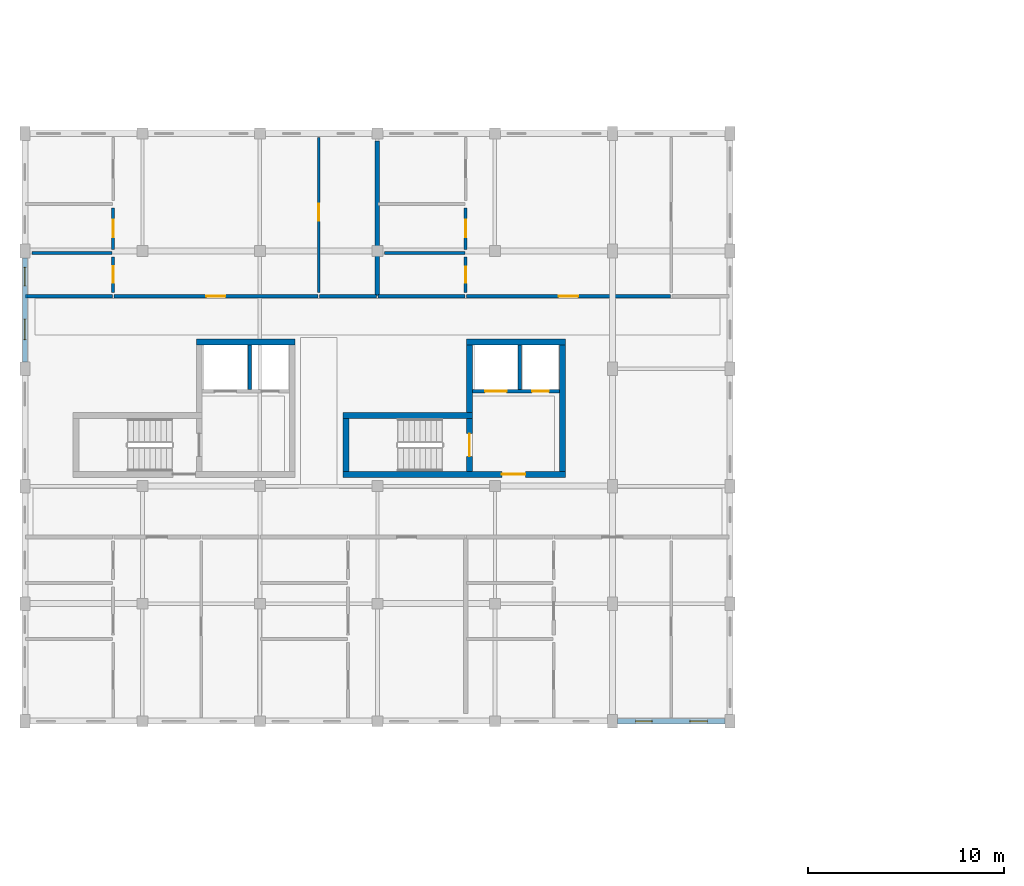
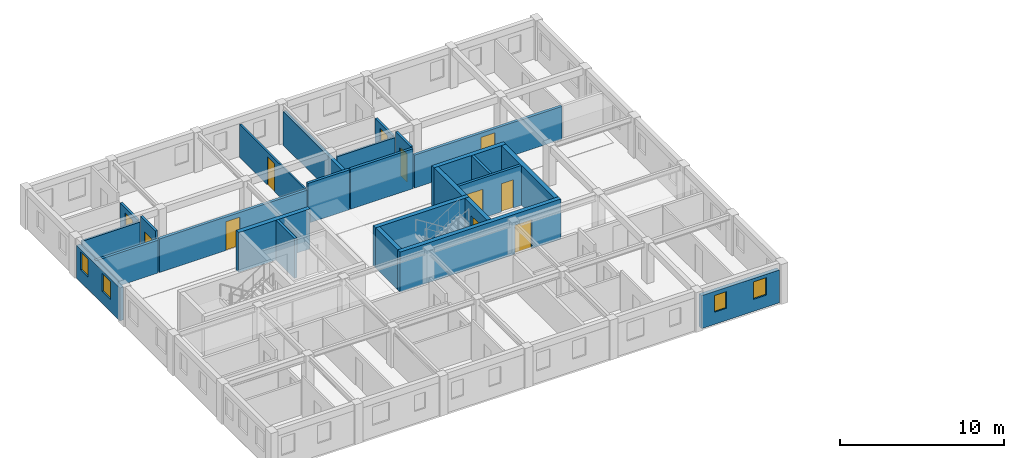
# One storey, part 8 of 28: 26 walls, 11 doors, 4 windows, 15 openings.
"""IFC4 building model written with IfcOpenShell, lengths in metres."""

from ifc_helpers import new_model, si_unit, direction, frame, frame_2d, origin, place, context, subcontext, project, spatial, rectangle, extrude, material, layer, layer_set, type_object, element, fill, save


model = new_model("IFC4")

# Units and contexts
model_context = context("Model", 3, precision=1e-05, world=origin(), true_north=direction((0.0, 1.0)))
body_context = subcontext(model_context, "Body", "Model", "MODEL_VIEW")
ifc_project = project(units=[si_unit("LENGTHUNIT", "METRE"), si_unit("AREAUNIT", "SQUARE_METRE"), si_unit("VOLUMEUNIT", "CUBIC_METRE"), si_unit("PLANEANGLEUNIT", "RADIAN"), si_unit("MASSUNIT", "GRAM", prefix="KILO"), si_unit("POWERUNIT", "WATT"), si_unit("THERMODYNAMICTEMPERATUREUNIT", "KELVIN")], contexts=[model_context])

# Site, building, storey
site_placement = place(None, origin())
site = spatial("IfcSite", under=ifc_project, at=site_placement, CompositionType="ELEMENT")
building_placement = place(site_placement, origin())
building = spatial("IfcBuilding", under=site, at=building_placement, Name="Ruvembo Vaulted Housing Court", CompositionType="ELEMENT")
storey_placement = place(building_placement, frame((0.0, 0.0, 23.699951171875)))
storey = spatial("IfcBuildingStorey", under=building, at=storey_placement, Name="L07", CompositionType="ELEMENT", Elevation=23.699951171875)

# Wall
ifc_material_1 = material(Name="Concrete C35/45", Category="concrete")
ifc_layer_1 = layer(ifc_material_1, 0.300048828125, Name="Concrete C35/45")
ifc_layer_set_1 = layer_set([ifc_layer_1], Name="Concrete C35/45")
wall_type_1 = type_object("IfcWallType", Name="WL-CORE-300", PredefinedType="SHEAR", material=ifc_layer_set_1)
wall_1_placement = place(storey_placement, frame((13.800048828125, 25.35009765625, 0.0), z_axis=(0.0, 0.0, 1.0), x_axis=(-1.0, 0.0, 0.0)))
element("IfcWall", 1, at=wall_1_placement, inside=storey, type_object=wall_type_1, Name="Core A1 L07 North Shear Wall", PredefinedType="SHEAR", context=body_context, shape_type="SweptSolid", body=[
    extrude(rectangle(XDim=5.050048828125, YDim=0.300048828125, at=frame_2d((2.52490234375, 0.0))), origin(), (0.0, 0.0, 1.0), 2.97509765625),
])

# Wall, opening, door
wall_2_placement = place(storey_placement, frame((16.25, 18.60009765625, 0.0), z_axis=(0.0, 0.0, 1.0), x_axis=(1.0, 0.0, 0.0)))
wall_2 = element("IfcWall", 2, at=wall_2_placement, inside=storey, type_object=wall_type_1, Name="Core A2 L07 South Shear Wall", PredefinedType="SHEAR", context=body_context, shape_type="SweptSolid", body=[
    extrude(rectangle(XDim=11.35009765625, YDim=0.300048828125, at=frame_2d((5.675048828125, 0.0))), origin(), (0.0, 0.0, 1.0), 2.97509765625),
])
opening_1_placement = place(wall_2_placement, frame((8.10009765625, 0.0, 0.0)))
opening_1 = element("IfcOpeningElement", 3, at=opening_1_placement, cuts=wall_2, Name="Opening LD3", PredefinedType="OPENING", context=body_context, shape_type="SweptSolid", body=[
    extrude(rectangle(XDim=1.199951171875, YDim=2.14990234375, at=frame_2d((0.60009765625, 1.074951171875))), frame((0.0, 0.159912109375, 0.0), z_axis=(0.0, -1.0, 0.0), x_axis=(1.0, 0.0, 0.0)), (0.0, 0.0, 1.0), 0.320068359375),
])
ifc_material_2 = material(Name="Galvanised Painted Steel", Category="steel")
door_type_1 = type_object("IfcDoorType", Name="DR-LOB-1200x2150", OperationType="NOTDEFINED", PredefinedType="DOOR", material=ifc_material_2)
door_1_placement = place(opening_1_placement, origin())
door_1 = element("IfcDoor", 4, at=door_1_placement, inside=storey, type_object=door_type_1, Name="Core A2 L07 Lobby Fire Door", OperationType="SINGLE_SWING_LEFT", OverallHeight=2.14990234375, OverallWidth=1.199951171875, PredefinedType="DOOR", context=body_context, shape_type="SweptSolid", body=[
    extrude(rectangle(XDim=1.199951171875, YDim=2.14990234375, at=frame_2d((0.60009765625, 1.074951171875))), frame((0.0, 0.02490234375, 0.0), z_axis=(0.0, -1.0, 0.0), x_axis=(1.0, 0.0, 0.0)), (0.0, 0.0, 1.0), 0.050048828125),
])
fill(opening_1, door_1)

# Walls
wall_3_placement = place(storey_placement, frame((22.85009765625, 21.60009765625, 0.0), z_axis=(0.0, 0.0, 1.0), x_axis=(-1.0, 0.0, 0.0)))
element("IfcWall", 5, at=wall_3_placement, inside=storey, type_object=wall_type_1, Name="Core A2 L07 Stair North Shear Wall", PredefinedType="SHEAR", context=body_context, shape_type="SweptSolid", body=[
    extrude(rectangle(XDim=6.60009765625, YDim=0.300048828125, at=frame_2d((3.300048828125, 0.0))), origin(), (0.0, 0.0, 1.0), 2.97509765625),
])
wall_4_placement = place(storey_placement, frame((16.39990234375, 21.449951171875, 0.0), z_axis=(0.0, 0.0, 1.0), x_axis=(0.0, -1.0, 0.0)))
element("IfcWall", 6, at=wall_4_placement, inside=storey, type_object=wall_type_1, Name="Core A2 L07 Stair West Shear Wall", PredefinedType="SHEAR", context=body_context, shape_type="SweptSolid", body=[
    extrude(rectangle(XDim=2.699951171875, YDim=0.300048828125, at=frame_2d((1.35009765625, 0.0))), origin(), (0.0, 0.0, 1.0), 2.97509765625),
])

# Wall, opening, door
wall_5_placement = place(storey_placement, frame((22.699951171875, 18.75, 0.0), z_axis=(0.0, 0.0, 1.0), x_axis=(0.0, 1.0, 0.0)))
wall_5 = element("IfcWall", 7, at=wall_5_placement, inside=storey, type_object=wall_type_1, Name="Core A2 L07 Stair-Lobby Shear Wall", PredefinedType="SHEAR", context=body_context, shape_type="SweptSolid", body=[
    extrude(rectangle(XDim=2.699951171875, YDim=0.300048828125, at=frame_2d((1.35009765625, 0.0))), origin(), (0.0, 0.0, 1.0), 2.97509765625),
])
opening_2_placement = place(wall_5_placement, frame((0.77490234375, 0.0, 0.0)))
opening_2 = element("IfcOpeningElement", 8, at=opening_2_placement, cuts=wall_5, Name="Opening SD1", PredefinedType="OPENING", context=body_context, shape_type="SweptSolid", body=[
    extrude(rectangle(XDim=1.14990234375, YDim=2.14990234375, at=frame_2d((0.574951171875, 1.074951171875))), frame((0.0, 0.159912109375, 0.0), z_axis=(0.0, -1.0, 0.0), x_axis=(1.0, 0.0, 0.0)), (0.0, 0.0, 1.0), 0.320068359375),
])
door_type_2 = type_object("IfcDoorType", Name="DR-STAIR-1150x2150", OperationType="NOTDEFINED", PredefinedType="DOOR", material=ifc_material_2)
door_2_placement = place(opening_2_placement, origin())
door_2 = element("IfcDoor", 9, at=door_2_placement, inside=storey, type_object=door_type_2, Name="Stair ST-A2 L07 Fire Door", OperationType="SINGLE_SWING_RIGHT", OverallHeight=2.14990234375, OverallWidth=1.14990234375, PredefinedType="DOOR", context=body_context, shape_type="SweptSolid", body=[
    extrude(rectangle(XDim=1.14990234375, YDim=2.14990234375, at=frame_2d((0.574951171875, 1.074951171875))), frame((0.0, 0.02490234375, 0.0), z_axis=(0.0, -1.0, 0.0), x_axis=(1.0, 0.0, 0.0)), (0.0, 0.0, 1.0), 0.050048828125),
])
fill(opening_2, door_2)

# Walls
wall_6_placement = place(storey_placement, frame((27.60009765625, 25.35009765625, 0.0), z_axis=(0.0, 0.0, 1.0), x_axis=(-1.0, 0.0, 0.0)))
element("IfcWall", 10, at=wall_6_placement, inside=storey, type_object=wall_type_1, Name="Core A2 L07 North Shear Wall", PredefinedType="SHEAR", context=body_context, shape_type="SweptSolid", body=[
    extrude(rectangle(XDim=5.050048828125, YDim=0.300048828125, at=frame_2d((2.52490234375, 0.0))), origin(), (0.0, 0.0, 1.0), 2.97509765625),
])
wall_7_placement = place(storey_placement, frame((27.449951171875, 18.75, 0.0), z_axis=(0.0, 0.0, 1.0), x_axis=(0.0, 1.0, 0.0)))
element("IfcWall", 11, at=wall_7_placement, inside=storey, type_object=wall_type_1, Name="Core A2 L07 East Shear Wall", PredefinedType="SHEAR", context=body_context, shape_type="SweptSolid", body=[
    extrude(rectangle(XDim=6.449951171875, YDim=0.300048828125, at=frame_2d((3.22509765625, 0.0))), origin(), (0.0, 0.0, 1.0), 2.97509765625),
])
wall_8_placement = place(storey_placement, frame((22.699951171875, 21.75, 0.0), z_axis=(0.0, 0.0, 1.0), x_axis=(0.0, 1.0, 0.0)))
element("IfcWall", 12, at=wall_8_placement, inside=storey, type_object=wall_type_1, Name="Core A2 L07 Upper West Shear Wall", PredefinedType="SHEAR", context=body_context, shape_type="SweptSolid", body=[
    extrude(rectangle(XDim=3.449951171875, YDim=0.300048828125, at=frame_2d((1.72509765625, 0.0))), origin(), (0.0, 0.0, 1.0), 2.97509765625),
])
ifc_material_3 = material(Name="Concrete Blockwork 190", Category="masonry")
ifc_layer_2 = layer(ifc_material_3, 0.18994140625, Name="Concrete Blockwork 190")
ifc_layer_set_2 = layer_set([ifc_layer_2], Name="Concrete Blockwork 190")
wall_type_2 = type_object("IfcWallType", Name="WL-CORR-190", PredefinedType="SOLIDWALL", material=ifc_layer_set_2)
wall_9_placement = place(storey_placement, frame((0.0400390625, 27.699951171875, 0.0), z_axis=(0.0, 0.0, 1.0), x_axis=(1.0, 0.0, 0.0)))
element("IfcWall", 13, at=wall_9_placement, inside=storey, type_object=wall_type_2, Name="L07 Flat A-L07-N1 Corridor Wall WL-INT-L07-01890", PredefinedType="SOLIDWALL", context=body_context, shape_type="SweptSolid", body=[
    extrude(rectangle(XDim=4.419921875, YDim=0.18994140625, at=frame_2d((2.2099609375, 0.0))), origin(), (0.0, 0.0, 1.0), 2.45703125),
])

# Wall, opening, door
wall_10_placement = place(storey_placement, frame((4.5400390625, 27.699951171875, 0.0), z_axis=(0.0, 0.0, 1.0), x_axis=(1.0, 0.0, 0.0)))
wall_10 = element("IfcWall", 14, at=wall_10_placement, inside=storey, type_object=wall_type_2, Name="L07 Flat A-L07-N1 Entrance WL-INT-L07-01891", PredefinedType="SOLIDWALL", context=body_context, shape_type="SweptSolid", body=[
    extrude(rectangle(XDim=10.419921875, YDim=0.18994140625, at=frame_2d((5.2099609375, 0.0))), origin(), (0.0, 0.0, 1.0), 2.508056640625),
])
opening_3_placement = place(wall_10_placement, frame((4.719970703125, 0.0, 0.0)))
opening_3 = element("IfcOpeningElement", 15, at=opening_3_placement, cuts=wall_10, Name="Opening FD2", PredefinedType="OPENING", context=body_context, shape_type="SweptSolid", body=[
    extrude(rectangle(XDim=0.97998046875, YDim=2.14990234375, at=frame_2d((0.489990234375, 1.074951171875))), frame((0.0, 0.10498046875, 0.0), z_axis=(0.0, -1.0, 0.0), x_axis=(1.0, 0.0, 0.0)), (0.0, 0.0, 1.0), 0.2099609375),
])
ifc_material_4 = material(Name="FSC Hardwood and Engineered Timber", Category="wood")
door_type_3 = type_object("IfcDoorType", Name="DR-FLAT-0980x2150", OperationType="NOTDEFINED", PredefinedType="DOOR", material=ifc_material_4)
door_3_placement = place(opening_3_placement, origin())
door_3 = element("IfcDoor", 16, at=door_3_placement, inside=storey, type_object=door_type_3, Name="L07 Flat A-L07-N1 Entrance Door DR-INT-L07-01063", OperationType="SINGLE_SWING_LEFT", OverallHeight=2.14990234375, OverallWidth=0.97998046875, PredefinedType="DOOR", context=body_context, shape_type="SweptSolid", body=[
    extrude(rectangle(XDim=0.97998046875, YDim=2.14990234375, at=frame_2d((0.489990234375, 1.074951171875))), frame((0.0, 0.02490234375, 0.0), z_axis=(0.0, -1.0, 0.0), x_axis=(1.0, 0.0, 0.0)), (0.0, 0.0, 1.0), 0.050048828125),
])
fill(opening_3, door_3)

# Walls
wall_11_placement = place(storey_placement, frame((15.0400390625, 27.699951171875, 0.0), z_axis=(0.0, 0.0, 1.0), x_axis=(1.0, 0.0, 0.0)))
element("IfcWall", 17, at=wall_11_placement, inside=storey, type_object=wall_type_2, Name="L07 Flat A-L07-N1 Corridor Wall 2 WL-INT-L07-01897", PredefinedType="SOLIDWALL", context=body_context, shape_type="SweptSolid", body=[
    extrude(rectangle(XDim=2.919921875, YDim=0.18994140625, at=frame_2d((1.4599609375, 0.0))), origin(), (0.0, 0.0, 1.0), 2.97509765625),
])
wall_12_placement = place(storey_placement, frame((18.0400390625, 27.699951171875, 0.0), z_axis=(0.0, 0.0, 1.0), x_axis=(1.0, 0.0, 0.0)))
element("IfcWall", 18, at=wall_12_placement, inside=storey, type_object=wall_type_2, Name="L07 Flat A-L07-N2 Corridor Wall WL-INT-L07-01899", PredefinedType="SOLIDWALL", context=body_context, shape_type="SweptSolid", body=[
    extrude(rectangle(XDim=4.419921875, YDim=0.18994140625, at=frame_2d((2.2099609375, 0.0))), origin(), (0.0, 0.0, 1.0), 2.97509765625),
])

# Wall, opening, door
wall_13_placement = place(storey_placement, frame((22.5400390625, 27.699951171875, 0.0), z_axis=(0.0, 0.0, 1.0), x_axis=(1.0, 0.0, 0.0)))
wall_13 = element("IfcWall", 19, at=wall_13_placement, inside=storey, type_object=wall_type_2, Name="L07 Flat A-L07-N2 Entrance WL-INT-L07-01900", PredefinedType="SOLIDWALL", context=body_context, shape_type="SweptSolid", body=[
    extrude(rectangle(XDim=10.419921875, YDim=0.18994140625, at=frame_2d((5.2099609375, 0.0))), origin(), (0.0, 0.0, 1.0), 2.45703125),
])
opening_4_placement = place(wall_13_placement, frame((4.7099609375, 0.0, 0.0)))
opening_4 = element("IfcOpeningElement", 20, at=opening_4_placement, cuts=wall_13, Name="Opening FD1", PredefinedType="OPENING", context=body_context, shape_type="SweptSolid", body=[
    extrude(rectangle(XDim=1.0, YDim=2.14990234375, at=frame_2d((0.5, 1.074951171875))), frame((0.0, 0.10498046875, 0.0), z_axis=(0.0, -1.0, 0.0), x_axis=(1.0, 0.0, 0.0)), (0.0, 0.0, 1.0), 0.2099609375),
])
door_type_4 = type_object("IfcDoorType", Name="DR-FLAT-1000x2150", OperationType="NOTDEFINED", PredefinedType="DOOR", material=ifc_material_4)
door_4_placement = place(opening_4_placement, origin())
door_4 = element("IfcDoor", 21, at=door_4_placement, inside=storey, type_object=door_type_4, Name="L07 Flat A-L07-N2 Entrance Door DR-INT-L07-01068", OperationType="SINGLE_SWING_RIGHT", OverallHeight=2.14990234375, OverallWidth=1.0, PredefinedType="DOOR", context=body_context, shape_type="SweptSolid", body=[
    extrude(rectangle(XDim=1.0, YDim=2.14990234375, at=frame_2d((0.5, 1.074951171875))), frame((0.0, 0.02490234375, 0.0), z_axis=(0.0, -1.0, 0.0), x_axis=(1.0, 0.0, 0.0)), (0.0, 0.0, 1.0), 0.050048828125),
])
fill(opening_4, door_4)

# Wall
ifc_material_5 = material(Name="Acoustic Masonry Demising 230", Category="masonry")
ifc_layer_3 = layer(ifc_material_5, 0.22998046875, Name="Acoustic Masonry Demising 230")
ifc_layer_set_3 = layer_set([ifc_layer_3], Name="Acoustic Masonry Demising 230")
wall_type_3 = type_object("IfcWallType", Name="WL-DEM-230", PredefinedType="SOLIDWALL", material=ifc_layer_set_3)
wall_14_placement = place(storey_placement, frame((18.0, 27.739990234375, 0.0), z_axis=(0.0, 0.0, 1.0), x_axis=(0.0, 1.0, 0.0)))
element("IfcWall", 22, at=wall_14_placement, inside=storey, type_object=wall_type_3, Name="L07 Demising A-L07-N1 WL-INT-L07-01889", PredefinedType="SOLIDWALL", context=body_context, shape_type="SweptSolid", body=[
    extrude(rectangle(XDim=7.8701171875, YDim=0.22998046875, at=frame_2d((3.93505859375, 0.0))), origin(), (0.0, 0.0, 1.0), 2.508056640625),
])

# Wall, openings, windows
ifc_material_6 = material(Name="Rendered Masonry 270", Category="masonry")
ifc_layer_4 = layer(ifc_material_6, 0.27001953125, Name="Rendered Masonry 270")
ifc_layer_set_4 = layer_set([ifc_layer_4], Name="Rendered Masonry 270")
wall_type_4 = type_object("IfcWallType", Name="WL-EXT-270", PredefinedType="STANDARD", material=ifc_layer_set_4)
wall_15_placement = place(storey_placement, frame((30.25, 6.0, 0.0), z_axis=(0.0, 0.0, 1.0), x_axis=(1.0, 0.0, 0.0)))
wall_15 = element("IfcWall", 23, at=wall_15_placement, inside=storey, type_object=wall_type_4, Name="Block A L07 Exterior Wall STREET #6", PredefinedType="STANDARD", context=body_context, shape_type="SweptSolid", body=[
    extrude(rectangle(XDim=5.5, YDim=0.27001953125, at=frame_2d((2.75, 0.0))), origin(), (0.0, 0.0, 1.0), 2.45703125),
])
opening_5_placement = place(wall_15_placement, frame((0.929931640625, 0.0, 0.89990234375)))
opening_5 = element("IfcOpeningElement", 24, at=opening_5_placement, cuts=wall_15, Name="Opening W03", PredefinedType="OPENING", context=body_context, shape_type="SweptSolid", body=[
    extrude(rectangle(XDim=0.85009765625, YDim=1.25, at=frame_2d((0.425048828125, 0.625))), frame((0.0, 0.14501953125, 0.0), z_axis=(0.0, -1.0, 0.0), x_axis=(1.0, 0.0, 0.0)), (0.0, 0.0, 1.0), 0.2900390625),
])
opening_6_placement = place(wall_15_placement, frame((3.695068359375, 0.0, 0.89990234375)))
opening_6 = element("IfcOpeningElement", 25, at=opening_6_placement, cuts=wall_15, Name="Opening W04", PredefinedType="OPENING", context=body_context, shape_type="SweptSolid", body=[
    extrude(rectangle(XDim=0.89990234375, YDim=1.300048828125, at=frame_2d((0.449951171875, 0.64990234375))), frame((0.0, 0.14501953125, 0.0), z_axis=(0.0, -1.0, 0.0), x_axis=(1.0, 0.0, 0.0)), (0.0, 0.0, 1.0), 0.2900390625),
])
ifc_material_7 = material(Name="Double Solar-Control Glazing in Aluminium Frame", Category="aluminium")
window_type_1 = type_object("IfcWindowType", Name="WIN-0850x1250", PartitioningType="SINGLE_PANEL", PredefinedType="WINDOW", material=ifc_material_7)
window_1_placement = place(opening_5_placement, origin())
window_1 = element("IfcWindow", 26, at=window_1_placement, inside=storey, type_object=window_type_1, Name="Block A L07 Window #307", OverallHeight=1.25, OverallWidth=0.85009765625, PartitioningType="SINGLE_PANEL", PredefinedType="WINDOW", context=body_context, shape_type="SweptSolid", body=[
    extrude(rectangle(XDim=0.85009765625, YDim=1.25, at=frame_2d((0.425048828125, 0.625))), frame((0.0, 0.030029296875, 0.0), z_axis=(0.0, -1.0, 0.0), x_axis=(1.0, 0.0, 0.0)), (0.0, 0.0, 1.0), 0.06005859375),
])
fill(opening_5, window_1)
window_type_2 = type_object("IfcWindowType", Name="WIN-0900x1300", PartitioningType="SINGLE_PANEL", PredefinedType="WINDOW", material=ifc_material_7)
window_2_placement = place(opening_6_placement, origin())
window_2 = element("IfcWindow", 27, at=window_2_placement, inside=storey, type_object=window_type_2, Name="Block A L07 Window #308", OverallHeight=1.300048828125, OverallWidth=0.89990234375, PartitioningType="SINGLE_PANEL", PredefinedType="WINDOW", context=body_context, shape_type="SweptSolid", body=[
    extrude(rectangle(XDim=0.89990234375, YDim=1.300048828125, at=frame_2d((0.449951171875, 0.64990234375))), frame((0.0, 0.030029296875, 0.0), z_axis=(0.0, -1.0, 0.0), x_axis=(1.0, 0.0, 0.0)), (0.0, 0.0, 1.0), 0.06005859375),
])
fill(opening_6, window_2)

wall_16_placement = place(storey_placement, frame((0.0, 29.64990234375, 0.0), z_axis=(0.0, 0.0, 1.0), x_axis=(0.0, -1.0, 0.0)))
wall_16 = element("IfcWall", 28, at=wall_16_placement, inside=storey, type_object=wall_type_4, Name="Block A L07 Exterior Wall WEST #2", PredefinedType="STANDARD", context=body_context, shape_type="SweptSolid", body=[
    extrude(rectangle(XDim=5.2998046875, YDim=0.27001953125, at=frame_2d((2.64990234375, 0.0))), origin(), (0.0, 0.0, 1.0), 2.45703125),
])
opening_7_placement = place(wall_16_placement, frame((0.47998046875, 0.0, 0.89990234375)))
opening_7 = element("IfcOpeningElement", 29, at=opening_7_placement, cuts=wall_16, Name="Opening W07", PredefinedType="OPENING", context=body_context, shape_type="SweptSolid", body=[
    extrude(rectangle(XDim=0.949951171875, YDim=1.35009765625, at=frame_2d((0.47509765625, 0.675048828125))), frame((0.0, 0.14501953125, 0.0), z_axis=(0.0, -1.0, 0.0), x_axis=(1.0, 0.0, 0.0)), (0.0, 0.0, 1.0), 0.2900390625),
])
opening_8_placement = place(wall_16_placement, frame((3.1201171875, 0.0, 0.89990234375)))
opening_8 = element("IfcOpeningElement", 30, at=opening_8_placement, cuts=wall_16, Name="Opening W09", PredefinedType="OPENING", context=body_context, shape_type="SweptSolid", body=[
    extrude(rectangle(XDim=1.050048828125, YDim=1.35009765625, at=frame_2d((0.52490234375, 0.675048828125))), frame((0.0, 0.14501953125, 0.0), z_axis=(0.0, -1.0, 0.0), x_axis=(1.0, 0.0, 0.0)), (0.0, 0.0, 1.0), 0.2900390625),
])
window_type_3 = type_object("IfcWindowType", Name="WIN-0950x1350", PartitioningType="SINGLE_PANEL", PredefinedType="WINDOW", material=ifc_material_7)
window_3_placement = place(opening_7_placement, origin())
window_3 = element("IfcWindow", 31, at=window_3_placement, inside=storey, type_object=window_type_3, Name="Block A L07 Window #333", OverallHeight=1.35009765625, OverallWidth=0.949951171875, PartitioningType="SINGLE_PANEL", PredefinedType="WINDOW", context=body_context, shape_type="SweptSolid", body=[
    extrude(rectangle(XDim=0.949951171875, YDim=1.35009765625, at=frame_2d((0.47509765625, 0.675048828125))), frame((0.0, 0.030029296875, 0.0), z_axis=(0.0, -1.0, 0.0), x_axis=(1.0, 0.0, 0.0)), (0.0, 0.0, 1.0), 0.06005859375),
])
fill(opening_7, window_3)
window_type_4 = type_object("IfcWindowType", Name="WIN-1050x1350", PartitioningType="SINGLE_PANEL", PredefinedType="WINDOW", material=ifc_material_7)
window_4_placement = place(opening_8_placement, origin())
window_4 = element("IfcWindow", 32, at=window_4_placement, inside=storey, type_object=window_type_4, Name="Block A L07 Window #334", OverallHeight=1.35009765625, OverallWidth=1.050048828125, PartitioningType="SINGLE_PANEL", PredefinedType="WINDOW", context=body_context, shape_type="SweptSolid", body=[
    extrude(rectangle(XDim=1.050048828125, YDim=1.35009765625, at=frame_2d((0.52490234375, 0.675048828125))), frame((0.0, 0.030029296875, 0.0), z_axis=(0.0, -1.0, 0.0), x_axis=(1.0, 0.0, 0.0)), (0.0, 0.0, 1.0), 0.06005859375),
])
fill(opening_8, window_4)

# Wall, opening, door
ifc_material_8 = material(Name="Plasterboard Stud Partition 125", Category="gypsum")
ifc_layer_5 = layer(ifc_material_8, 0.125, Name="Plasterboard Stud Partition 125")
ifc_layer_set_5 = layer_set([ifc_layer_5], Name="Plasterboard Stud Partition 125")
wall_type_5 = type_object("IfcWallType", Name="WL-PART-125", PredefinedType="PARTITIONING", material=ifc_layer_set_5)
wall_17_placement = place(storey_placement, frame((15.0, 27.889892578125, 0.0), z_axis=(0.0, 0.0, 1.0), x_axis=(0.0, 1.0, 0.0)))
wall_17 = element("IfcWall", 33, at=wall_17_placement, inside=storey, type_object=wall_type_5, Name="L07 Flat A-L07-N1 Bedroom 2 WL-INT-L07-01898", PredefinedType="PARTITIONING", context=body_context, shape_type="SweptSolid", body=[
    extrude(rectangle(XDim=7.920166015625, YDim=0.125, at=frame_2d((3.9599609375, 0.0))), origin(), (0.0, 0.0, 1.0), 2.45703125),
])
opening_9_placement = place(wall_17_placement, frame((3.64990234375, 0.0, 0.0)))
opening_9 = element("IfcOpeningElement", 34, at=opening_9_placement, cuts=wall_17, Name="Opening ID3", PredefinedType="OPENING", context=body_context, shape_type="SweptSolid", body=[
    extrude(rectangle(XDim=0.8798828125, YDim=2.10009765625, at=frame_2d((0.43994140625, 1.050048828125))), frame((0.0, 0.072509765625, 0.0), z_axis=(0.0, -1.0, 0.0), x_axis=(1.0, 0.0, 0.0)), (0.0, 0.0, 1.0), 0.14501953125),
])
door_type_5 = type_object("IfcDoorType", Name="DR-ROOM-0880x2100", OperationType="NOTDEFINED", PredefinedType="DOOR", material=ifc_material_4)
door_5_placement = place(opening_9_placement, origin())
door_5 = element("IfcDoor", 35, at=door_5_placement, inside=storey, type_object=door_type_5, Name="L07 Flat A-L07-N1 Bedroom 2 Door DR-INT-L07-01067", OperationType="SINGLE_SWING_LEFT", OverallHeight=2.10009765625, OverallWidth=0.8798828125, PredefinedType="DOOR", context=body_context, shape_type="SweptSolid", body=[
    extrude(rectangle(XDim=0.8798828125, YDim=2.10009765625, at=frame_2d((0.43994140625, 1.050048828125))), frame((0.0, 0.02490234375, 0.0), z_axis=(0.0, -1.0, 0.0), x_axis=(1.0, 0.0, 0.0)), (0.0, 0.0, 1.0), 0.050048828125),
])
fill(opening_9, door_5)

ifc_material_9 = material(Name="Moisture-Resistant Wet Partition 150", Category="gypsum")
ifc_layer_6 = layer(ifc_material_9, 0.14990234375, Name="Moisture-Resistant Wet Partition 150")
ifc_layer_set_6 = layer_set([ifc_layer_6], Name="Moisture-Resistant Wet Partition 150")
wall_type_6 = type_object("IfcWallType", Name="WL-PART-150", PredefinedType="PARTITIONING", material=ifc_layer_set_6)
wall_18_placement = place(storey_placement, frame((4.5, 27.889892578125, 0.0), z_axis=(0.0, 0.0, 1.0), x_axis=(0.0, 1.0, 0.0)))
wall_18 = element("IfcWall", 36, at=wall_18_placement, inside=storey, type_object=wall_type_6, Name="L07 Flat A-L07-N1 Bathroom WL-INT-L07-01894", PredefinedType="PARTITIONING", context=body_context, shape_type="SweptSolid", body=[
    extrude(rectangle(XDim=1.820068359375, YDim=0.14990234375, at=frame_2d((0.91015625, 0.0))), origin(), (0.0, 0.0, 1.0), 2.97509765625),
])
opening_10_placement = place(wall_18_placement, frame((0.485107421875, 0.0, 0.0)))
opening_10 = element("IfcOpeningElement", 37, at=opening_10_placement, cuts=wall_18, Name="Opening ID2", PredefinedType="OPENING", context=body_context, shape_type="SweptSolid", body=[
    extrude(rectangle(XDim=0.85009765625, YDim=2.10009765625, at=frame_2d((0.425048828125, 1.050048828125))), frame((0.0, 0.0849609375, 0.0), z_axis=(0.0, -1.0, 0.0), x_axis=(1.0, 0.0, 0.0)), (0.0, 0.0, 1.0), 0.169921875),
])
door_type_6 = type_object("IfcDoorType", Name="DR-WET-0850x2100", OperationType="NOTDEFINED", PredefinedType="DOOR", material=ifc_material_4)
door_6_placement = place(opening_10_placement, origin())
door_6 = element("IfcDoor", 38, at=door_6_placement, inside=storey, type_object=door_type_6, Name="L07 Flat A-L07-N1 Bathroom Door DR-INT-L07-01066", OperationType="SINGLE_SWING_RIGHT", OverallHeight=2.10009765625, OverallWidth=0.85009765625, PredefinedType="DOOR", context=body_context, shape_type="SweptSolid", body=[
    extrude(rectangle(XDim=0.85009765625, YDim=2.10009765625, at=frame_2d((0.425048828125, 1.050048828125))), frame((0.0, 0.02490234375, 0.0), z_axis=(0.0, -1.0, 0.0), x_axis=(1.0, 0.0, 0.0)), (0.0, 0.0, 1.0), 0.050048828125),
])
fill(opening_10, door_6)

# Wall
wall_19_placement = place(storey_placement, frame((0.360107421875, 29.89990234375, 0.0), z_axis=(0.0, 0.0, 1.0), x_axis=(1.0, 0.0, 0.0)))
element("IfcWall", 39, at=wall_19_placement, inside=storey, type_object=wall_type_6, Name="L07 Flat A-L07-N1 Wet Wall 2 WL-INT-L07-01896", PredefinedType="PARTITIONING", context=body_context, shape_type="SweptSolid", body=[
    extrude(rectangle(XDim=4.099853515625, YDim=0.14990234375, at=frame_2d((2.0498046875, 0.0))), origin(), (0.0, 0.0, 1.0), 2.45703125),
])

# Wall, opening, door
wall_20_placement = place(storey_placement, frame((22.5, 27.889892578125, 0.0), z_axis=(0.0, 0.0, 1.0), x_axis=(0.0, 1.0, 0.0)))
wall_20 = element("IfcWall", 40, at=wall_20_placement, inside=storey, type_object=wall_type_6, Name="L07 Flat A-L07-N2 Bathroom WL-INT-L07-01903", PredefinedType="PARTITIONING", context=body_context, shape_type="SweptSolid", body=[
    extrude(rectangle(XDim=1.820068359375, YDim=0.14990234375, at=frame_2d((0.91015625, 0.0))), origin(), (0.0, 0.0, 1.0), 2.97509765625),
])
opening_11_placement = place(wall_20_placement, frame((0.5, 0.0, 0.0)))
opening_11 = element("IfcOpeningElement", 41, at=opening_11_placement, cuts=wall_20, Name="Opening ID4", PredefinedType="OPENING", context=body_context, shape_type="SweptSolid", body=[
    extrude(rectangle(XDim=0.820068359375, YDim=2.080078125, at=frame_2d((0.41015625, 1.0400390625))), frame((0.0, 0.0849609375, 0.0), z_axis=(0.0, -1.0, 0.0), x_axis=(1.0, 0.0, 0.0)), (0.0, 0.0, 1.0), 0.169921875),
])
door_type_7 = type_object("IfcDoorType", Name="DR-WET-0820x2080", OperationType="NOTDEFINED", PredefinedType="DOOR", material=ifc_material_4)
door_7_placement = place(opening_11_placement, origin())
door_7 = element("IfcDoor", 42, at=door_7_placement, inside=storey, type_object=door_type_7, Name="L07 Flat A-L07-N2 Bathroom Door DR-INT-L07-01071", OperationType="SINGLE_SWING_LEFT", OverallHeight=2.080078125, OverallWidth=0.820068359375, PredefinedType="DOOR", context=body_context, shape_type="SweptSolid", body=[
    extrude(rectangle(XDim=0.820068359375, YDim=2.080078125, at=frame_2d((0.41015625, 1.0400390625))), frame((0.0, 0.02490234375, 0.0), z_axis=(0.0, -1.0, 0.0), x_axis=(1.0, 0.0, 0.0)), (0.0, 0.0, 1.0), 0.050048828125),
])
fill(opening_11, door_7)

# Wall
wall_21_placement = place(storey_placement, frame((18.360107421875, 29.89990234375, 0.0), z_axis=(0.0, 0.0, 1.0), x_axis=(1.0, 0.0, 0.0)))
element("IfcWall", 43, at=wall_21_placement, inside=storey, type_object=wall_type_6, Name="L07 Flat A-L07-N2 Wet Wall 2 WL-INT-L07-01905", PredefinedType="PARTITIONING", context=body_context, shape_type="SweptSolid", body=[
    extrude(rectangle(XDim=4.099853515625, YDim=0.14990234375, at=frame_2d((2.0498046875, 0.0))), origin(), (0.0, 0.0, 1.0), 2.45703125),
])

# Wall, opening, door
ifc_material_10 = material(Name="Acoustic Service Chase Wall 160", Category="gypsum")
ifc_layer_7 = layer(ifc_material_10, 0.159912109375, Name="Acoustic Service Chase Wall 160")
ifc_layer_set_7 = layer_set([ifc_layer_7], Name="Acoustic Service Chase Wall 160")
wall_type_7 = type_object("IfcWallType", Name="WL-PLUMB-160", PredefinedType="PLUMBINGWALL", material=ifc_layer_set_7)
wall_22_placement = place(storey_placement, frame((4.5, 30.090087890625, 0.0), z_axis=(0.0, 0.0, 1.0), x_axis=(0.0, 1.0, 0.0)))
wall_22 = element("IfcWall", 44, at=wall_22_placement, inside=storey, type_object=wall_type_7, Name="L07 Flat A-L07-N1 Kitchen WL-INT-L07-01893", PredefinedType="PLUMBINGWALL", context=body_context, shape_type="SweptSolid", body=[
    extrude(rectangle(XDim=2.119873046875, YDim=0.159912109375, at=frame_2d((1.06005859375, 0.0))), origin(), (0.0, 0.0, 1.0), 2.45703125),
])
opening_12_placement = place(wall_22_placement, frame((0.6201171875, 0.0, 0.0)))
opening_12 = element("IfcOpeningElement", 45, at=opening_12_placement, cuts=wall_22, Name="Opening ID3", PredefinedType="OPENING", context=body_context, shape_type="SweptSolid", body=[
    extrude(rectangle(XDim=0.8798828125, YDim=2.10009765625, at=frame_2d((0.43994140625, 1.050048828125))), frame((0.0, 0.08984375, 0.0), z_axis=(0.0, -1.0, 0.0), x_axis=(1.0, 0.0, 0.0)), (0.0, 0.0, 1.0), 0.179931640625),
])
door_8_placement = place(opening_12_placement, origin())
door_8 = element("IfcDoor", 46, at=door_8_placement, inside=storey, type_object=door_type_5, Name="L07 Flat A-L07-N1 Kitchen Door DR-INT-L07-01065", OperationType="SINGLE_SWING_LEFT", OverallHeight=2.10009765625, OverallWidth=0.8798828125, PredefinedType="DOOR", context=body_context, shape_type="SweptSolid", body=[
    extrude(rectangle(XDim=0.8798828125, YDim=2.10009765625, at=frame_2d((0.43994140625, 1.050048828125))), frame((0.0, 0.02490234375, 0.0), z_axis=(0.0, -1.0, 0.0), x_axis=(1.0, 0.0, 0.0)), (0.0, 0.0, 1.0), 0.050048828125),
])
fill(opening_12, door_8)

wall_23_placement = place(storey_placement, frame((22.5, 30.090087890625, 0.0), z_axis=(0.0, 0.0, 1.0), x_axis=(0.0, 1.0, 0.0)))
wall_23 = element("IfcWall", 47, at=wall_23_placement, inside=storey, type_object=wall_type_7, Name="L07 Flat A-L07-N2 Kitchen WL-INT-L07-01902", PredefinedType="PLUMBINGWALL", context=body_context, shape_type="SweptSolid", body=[
    extrude(rectangle(XDim=2.119873046875, YDim=0.159912109375, at=frame_2d((1.06005859375, 0.0))), origin(), (0.0, 0.0, 1.0), 2.45703125),
])
opening_13_placement = place(wall_23_placement, frame((0.610107421875, 0.0, 0.0)))
opening_13 = element("IfcOpeningElement", 48, at=opening_13_placement, cuts=wall_23, Name="Opening ID1", PredefinedType="OPENING", context=body_context, shape_type="SweptSolid", body=[
    extrude(rectangle(XDim=0.89990234375, YDim=2.10009765625, at=frame_2d((0.449951171875, 1.050048828125))), frame((0.0, 0.08984375, 0.0), z_axis=(0.0, -1.0, 0.0), x_axis=(1.0, 0.0, 0.0)), (0.0, 0.0, 1.0), 0.179931640625),
])
door_type_8 = type_object("IfcDoorType", Name="DR-ROOM-0900x2100", OperationType="NOTDEFINED", PredefinedType="DOOR", material=ifc_material_4)
door_9_placement = place(opening_13_placement, origin())
door_9 = element("IfcDoor", 49, at=door_9_placement, inside=storey, type_object=door_type_8, Name="L07 Flat A-L07-N2 Kitchen Door DR-INT-L07-01070", OperationType="SINGLE_SWING_RIGHT", OverallHeight=2.10009765625, OverallWidth=0.89990234375, PredefinedType="DOOR", context=body_context, shape_type="SweptSolid", body=[
    extrude(rectangle(XDim=0.89990234375, YDim=2.10009765625, at=frame_2d((0.449951171875, 1.050048828125))), frame((0.0, 0.02490234375, 0.0), z_axis=(0.0, -1.0, 0.0), x_axis=(1.0, 0.0, 0.0)), (0.0, 0.0, 1.0), 0.050048828125),
])
fill(opening_13, door_9)

# Wall
ifc_material_11 = material(Name="Fire-Rated Masonry Shaft 180", Category="masonry")
ifc_layer_8 = layer(ifc_material_11, 0.179931640625, Name="Fire-Rated Masonry Shaft 180")
ifc_layer_set_8 = layer_set([ifc_layer_8], Name="Fire-Rated Masonry Shaft 180")
wall_type_8 = type_object("IfcWallType", Name="WL-SHAFT-180", PredefinedType="SOLIDWALL", material=ifc_layer_set_8)
wall_24_placement = place(storey_placement, frame((11.469970703125, 22.93994140625, 0.0), z_axis=(0.0, 0.0, 1.0), x_axis=(0.0, 1.0, 0.0)))
element("IfcWall", 50, at=wall_24_placement, inside=storey, type_object=wall_type_8, Name="Core A1 L07 Shaft-Riser Divider Wall", PredefinedType="SOLIDWALL", context=body_context, shape_type="SweptSolid", body=[
    extrude(rectangle(XDim=2.260009765625, YDim=0.179931640625, at=frame_2d((1.1298828125, 0.0))), origin(), (0.0, 0.0, 1.0), 2.97509765625),
])

# Wall, openings, doors
wall_25_placement = place(storey_placement, frame((22.85009765625, 22.85009765625, 0.0), z_axis=(0.0, 0.0, 1.0), x_axis=(1.0, 0.0, 0.0)))
wall_25 = element("IfcWall", 51, at=wall_25_placement, inside=storey, type_object=wall_type_8, Name="Core A2 L07 Lift and Riser Front Wall", PredefinedType="SOLIDWALL", context=body_context, shape_type="SweptSolid", body=[
    extrude(rectangle(XDim=4.449951171875, YDim=0.179931640625, at=frame_2d((2.22509765625, 0.0))), origin(), (0.0, 0.0, 1.0), 2.97509765625),
])
opening_14_placement = place(wall_25_placement, frame((0.64990234375, 0.0, 0.0)))
opening_14 = element("IfcOpeningElement", 52, at=opening_14_placement, cuts=wall_25, Name="Opening LD-FL-A2-L07", PredefinedType="OPENING", context=body_context, shape_type="SweptSolid", body=[
    extrude(rectangle(XDim=1.10009765625, YDim=2.14990234375, at=frame_2d((0.550048828125, 1.074951171875))), frame((0.0, 0.099853515625, 0.0), z_axis=(0.0, -1.0, 0.0), x_axis=(1.0, 0.0, 0.0)), (0.0, 0.0, 1.0), 0.199951171875),
])
opening_15_placement = place(wall_25_placement, frame((3.050048828125, 0.0, 0.0)))
opening_15 = element("IfcOpeningElement", 53, at=opening_15_placement, cuts=wall_25, Name="Opening RD1", PredefinedType="OPENING", context=body_context, shape_type="SweptSolid", body=[
    extrude(rectangle(XDim=0.85009765625, YDim=2.10009765625, at=frame_2d((0.425048828125, 1.050048828125))), frame((0.0, 0.099853515625, 0.0), z_axis=(0.0, -1.0, 0.0), x_axis=(1.0, 0.0, 0.0)), (0.0, 0.0, 1.0), 0.199951171875),
])
ifc_material_12 = material(Name="Brushed Stainless Steel 304", Category="steel")
door_type_9 = type_object("IfcDoorType", Name="DR-LIFT-1100x2150", OperationType="NOTDEFINED", PredefinedType="DOOR", material=ifc_material_12)
door_10_placement = place(opening_14_placement, origin())
door_10 = element("IfcDoor", 54, at=door_10_placement, inside=storey, type_object=door_type_9, Name="Lift FL-A2 L07 Sliding Landing Door", OperationType="SLIDING_TO_LEFT", OverallHeight=2.14990234375, OverallWidth=1.10009765625, PredefinedType="DOOR", context=body_context, shape_type="SweptSolid", body=[
    extrude(rectangle(XDim=1.10009765625, YDim=2.14990234375, at=frame_2d((0.550048828125, 1.074951171875))), frame((0.0, 0.02490234375, 0.0), z_axis=(0.0, -1.0, 0.0), x_axis=(1.0, 0.0, 0.0)), (0.0, 0.0, 1.0), 0.050048828125),
])
fill(opening_14, door_10)
door_type_10 = type_object("IfcDoorType", Name="DR-RISER-0850x2100", OperationType="NOTDEFINED", PredefinedType="DOOR", material=ifc_material_2)
door_11_placement = place(opening_15_placement, frame((0.85009765625, 0.0, 0.0), z_axis=(0.0, 0.0, 1.0), x_axis=(-1.0, 0.0, 0.0)))
door_11 = element("IfcDoor", 55, at=door_11_placement, inside=storey, type_object=door_type_10, Name="Core A2 L07 Service Riser Door", OperationType="SINGLE_SWING_LEFT", OverallHeight=2.10009765625, OverallWidth=0.85009765625, PredefinedType="DOOR", context=body_context, shape_type="SweptSolid", body=[
    extrude(rectangle(XDim=0.85009765625, YDim=2.10009765625, at=frame_2d((0.425048828125, 1.050048828125))), frame((0.0, 0.02490234375, 0.0), z_axis=(0.0, -1.0, 0.0), x_axis=(1.0, 0.0, 0.0)), (0.0, 0.0, 1.0), 0.050048828125),
])
fill(opening_15, door_11)

# Wall
wall_26_placement = place(storey_placement, frame((25.27001953125, 22.93994140625, 0.0), z_axis=(0.0, 0.0, 1.0), x_axis=(0.0, 1.0, 0.0)))
element("IfcWall", 56, at=wall_26_placement, inside=storey, type_object=wall_type_8, Name="Core A2 L07 Shaft-Riser Divider Wall", PredefinedType="SOLIDWALL", context=body_context, shape_type="SweptSolid", body=[
    extrude(rectangle(XDim=2.260009765625, YDim=0.179931640625, at=frame_2d((1.1298828125, 0.0))), origin(), (0.0, 0.0, 1.0), 2.97509765625),
])

save(model, "model.ifc")
